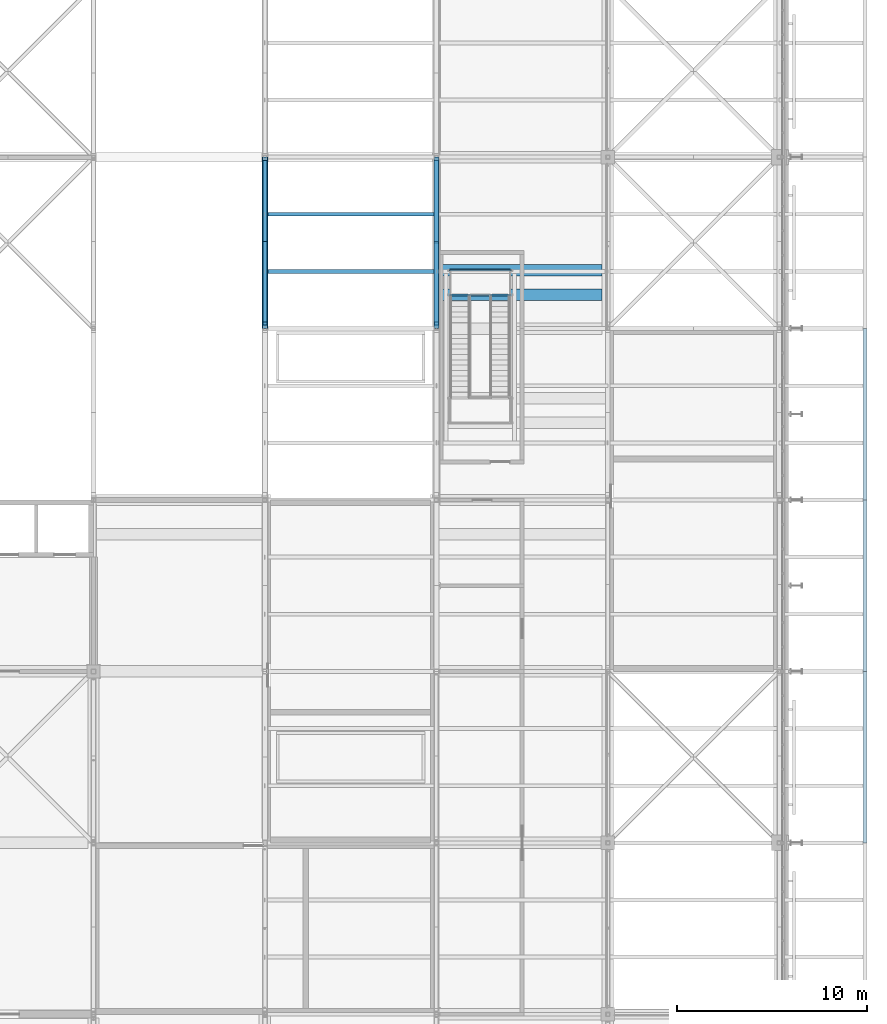
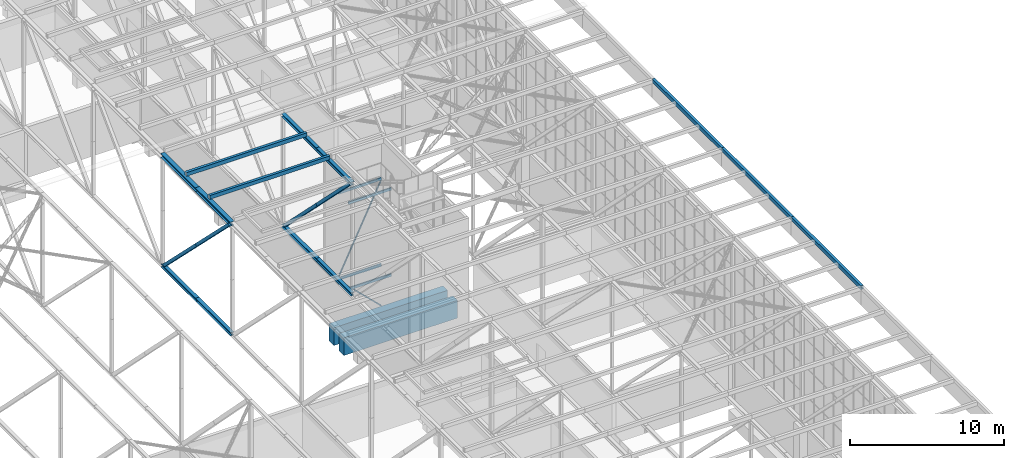
# One storey, part 97 of 646: 19 members, 6 beams.
"""IFC4 building model written with IfcOpenShell, lengths in metres."""

from ifc_helpers import new_model, si_unit, direction, frame, origin, origin_2d, place, context, subcontext, project, spatial, rectangle, hollow_rectangle, i_section, extrude, material, material_profile, profile_set, type_object, element, save


model = new_model("IFC4")

# Units and contexts
model_context = context("Model", 3, precision=1e-05, world=origin(), true_north=direction((0.0, 1.0)))
body_context = subcontext(model_context, "Body", "Model", "MODEL_VIEW")
ifc_project = project(units=[si_unit("LENGTHUNIT", "METRE"), si_unit("AREAUNIT", "SQUARE_METRE"), si_unit("VOLUMEUNIT", "CUBIC_METRE"), si_unit("PLANEANGLEUNIT", "RADIAN"), si_unit("MASSUNIT", "GRAM", prefix="KILO")], contexts=[model_context])

# Site, building, storey
site_placement = place(None, origin())
site = spatial("IfcSite", under=ifc_project, at=site_placement, CompositionType="ELEMENT")
building_placement = place(site_placement, origin())
building = spatial("IfcBuilding", under=site, at=building_placement, Name="Silverbay Arena", CompositionType="ELEMENT")
storey_placement = place(building_placement, frame((0.0, 0.0, 33.5)))
storey = spatial("IfcBuildingStorey", under=building, at=storey_placement, Name="L05", CompositionType="ELEMENT", Elevation=33.5)

# Members
ifc_material_1 = material(Name="Steel S355", Category="steel")
ifc_material_profile_1 = material_profile(ifc_material_1, i_section(OverallWidth=0.2587890625, OverallDepth=0.2666015625, WebThickness=0.0126953125, FlangeThickness=0.0205078125, at=origin_2d()), Name="UC 254x254x107")
ifc_profile_set_1 = profile_set([ifc_material_profile_1], Name="Steel S355")
member_type_1 = type_object("IfcMemberType", Name="Long-span bottom chord UC 254x254x107", PredefinedType="CHORD", material=ifc_profile_set_1)
for number, where, z_axis, x_axis, name in (
    (1, (180.0, 72.0, 4.13330078125), (0.0, 1.0, 0.0), (-1.0, 0.0, 0.0), "ROOF TRUSS 21 bottom chord 08a"),
    (2, (180.0, 76.5, 4.13330078125), (0.0, 1.0, 0.0), (-1.0, 0.0, 0.0), "ROOF TRUSS 21 bottom chord 08b"),
):
    element("IfcMember", number, at=place(storey_placement, frame(where, z_axis=z_axis, x_axis=x_axis)), inside=storey, type_object=member_type_1, Name=name, PredefinedType="CHORD", context=body_context, shape_type="SweptSolid", body=[
        extrude(i_section(OverallWidth=0.2587890625, OverallDepth=0.2666015625, WebThickness=0.0126953125, FlangeThickness=0.0205078125, at=origin_2d()), origin(), (0.0, 0.0, 1.0), 4.5),
    ])
ifc_material_2 = material(Name="Steel S355", Category="steel")
ifc_material_profile_2 = material_profile(ifc_material_2, i_section(OverallWidth=0.311279296875, OverallDepth=0.3271484375, WebThickness=0.015869140625, FlangeThickness=0.02490234375, at=origin_2d()), Name="UC 305x305x158")
ifc_profile_set_2 = profile_set([ifc_material_profile_2], Name="Steel S355")
member_type_2 = type_object("IfcMemberType", Name="Long-span top chord UC 305x305x158", PredefinedType="CHORD", material=ifc_profile_set_2)
for number, where, z_axis, x_axis, name in (
    (3, (180.0, 72.0, 12.83642578125), (0.0, 1.0, 0.0), (-1.0, 0.0, 0.0), "ROOF TRUSS 21 top chord 08a"),
    (4, (180.0, 76.5, 12.83642578125), (0.0, 1.0, 0.0), (-1.0, 0.0, 0.0), "ROOF TRUSS 21 top chord 08b"),
):
    element("IfcMember", number, at=place(storey_placement, frame(where, z_axis=z_axis, x_axis=x_axis)), inside=storey, type_object=member_type_2, Name=name, PredefinedType="CHORD", context=body_context, shape_type="SweptSolid", body=[
        extrude(i_section(OverallWidth=0.311279296875, OverallDepth=0.3271484375, WebThickness=0.015869140625, FlangeThickness=0.02490234375, at=origin_2d()), origin(), (0.0, 0.0, 1.0), 4.5),
    ])
ifc_material_3 = material(Name="Steel S355", Category="steel")
ifc_material_profile_3 = material_profile(ifc_material_3, hollow_rectangle(XDim=0.219970703125, YDim=0.219970703125, WallThickness=0.008056640625, at=origin_2d()), Name="SHS 220x220x8")
ifc_profile_set_3 = profile_set([ifc_material_profile_3], Name="Steel S355")
member_type_3 = type_object("IfcMemberType", Name="Long-span truss diagonal SHS 220x220x8", PredefinedType="BRACE", material=ifc_profile_set_3)
for number, where, z_axis, x_axis, name in (
    (5, (180.0, 72.26123046875, 12.6728515625), (0.0, 0.710086095222, -0.704114860923), (-1.0, 0.0, 0.0), "ROOF TRUSS 21 diagonal 08a"),
    (6, (180.0, 76.5, 8.4697265625), (0.0, 0.710086095222, -0.704114860923), (-1.0, 0.0, 0.0), "ROOF TRUSS 21 diagonal 08b"),
):
    element("IfcMember", number, at=place(storey_placement, frame(where, z_axis=z_axis, x_axis=x_axis)), inside=storey, type_object=member_type_3, Name=name, PredefinedType="BRACE", context=body_context, shape_type="SweptSolid", body=[
        extrude(hollow_rectangle(XDim=0.219970703125, YDim=0.219970703125, WallThickness=0.008056640625, at=origin_2d()), origin(), (0.0, 0.0, 1.0), 5.969482421875),
    ])
ifc_material_4 = material(Name="Steel S355", Category="steel")
ifc_material_profile_4 = material_profile(ifc_material_4, i_section(OverallWidth=0.254638671875, OverallDepth=0.254150390625, WebThickness=0.008544921875, FlangeThickness=0.01416015625, at=origin_2d()), Name="UC 254x254x73")
ifc_profile_set_4 = profile_set([ifc_material_profile_4], Name="Steel S355")
member_type_4 = type_object("IfcMemberType", Name="Medium-span bottom chord UC 254x254x73", PredefinedType="CHORD", material=ifc_profile_set_4)
for number, where, z_axis, x_axis, name in (
    (7, (189.0, 72.0, 4.126953125), (0.0, 1.0, 0.0), (-1.0, 0.0, 0.0), "ROOF TRUSS 22 bottom chord 08a"),
    (8, (189.0, 76.5, 4.126953125), (0.0, 1.0, 0.0), (-1.0, 0.0, 0.0), "ROOF TRUSS 22 bottom chord 08b"),
):
    element("IfcMember", number, at=place(storey_placement, frame(where, z_axis=z_axis, x_axis=x_axis)), inside=storey, type_object=member_type_4, Name=name, PredefinedType="CHORD", context=body_context, shape_type="SweptSolid", body=[
        extrude(i_section(OverallWidth=0.254638671875, OverallDepth=0.254150390625, WebThickness=0.008544921875, FlangeThickness=0.01416015625, at=origin_2d()), origin(), (0.0, 0.0, 1.0), 4.5),
    ])
ifc_material_5 = material(Name="Steel S355", Category="steel")
ifc_material_profile_5 = material_profile(ifc_material_5, i_section(OverallWidth=0.2587890625, OverallDepth=0.2666015625, WebThickness=0.0126953125, FlangeThickness=0.0205078125, at=origin_2d()), Name="UC 254x254x107")
ifc_profile_set_5 = profile_set([ifc_material_profile_5], Name="Steel S355")
member_type_5 = type_object("IfcMemberType", Name="Medium-span top chord UC 254x254x107", PredefinedType="CHORD", material=ifc_profile_set_5)
for number, where, z_axis, x_axis, name in (
    (9, (189.0, 72.0, 12.86669921875), (0.0, 1.0, 0.0), (-1.0, 0.0, 0.0), "ROOF TRUSS 22 top chord 08a"),
    (10, (189.0, 76.5, 12.86669921875), (0.0, 1.0, 0.0), (-1.0, 0.0, 0.0), "ROOF TRUSS 22 top chord 08b"),
):
    element("IfcMember", number, at=place(storey_placement, frame(where, z_axis=z_axis, x_axis=x_axis)), inside=storey, type_object=member_type_5, Name=name, PredefinedType="CHORD", context=body_context, shape_type="SweptSolid", body=[
        extrude(i_section(OverallWidth=0.2587890625, OverallDepth=0.2666015625, WebThickness=0.0126953125, FlangeThickness=0.0205078125, at=origin_2d()), origin(), (0.0, 0.0, 1.0), 4.5),
    ])
ifc_material_6 = material(Name="Steel S355", Category="steel")
ifc_material_profile_6 = material_profile(ifc_material_6, hollow_rectangle(XDim=0.219970703125, YDim=0.219970703125, WallThickness=0.008056640625, at=origin_2d()), Name="SHS 220x220x8")
ifc_profile_set_6 = profile_set([ifc_material_profile_6], Name="Steel S355")
member_type_6 = type_object("IfcMemberType", Name="Medium-span truss diagonal SHS 220x220x8", PredefinedType="BRACE", material=ifc_profile_set_6)
member_1_placement = place(storey_placement, frame((189.0, 72.260498046875, 12.7333984375), z_axis=(0.0, 0.707086421365, -0.707127140422), x_axis=(-1.0, 0.0, 0.0)))
element("IfcMember", 11, at=member_1_placement, inside=storey, type_object=member_type_6, Name="ROOF TRUSS 22 diagonal 08a", PredefinedType="BRACE", context=body_context, shape_type="SweptSolid", body=[
    extrude(hollow_rectangle(XDim=0.219970703125, YDim=0.219970703125, WallThickness=0.008056640625, at=origin_2d()), origin(), (0.0, 0.0, 1.0), 5.995849609375),
])
member_2_placement = place(storey_placement, frame((189.0, 76.5, 8.49365234375), z_axis=(0.0, 0.707106781187, -0.707106781187), x_axis=(-1.0, 0.0, 0.0)))
element("IfcMember", 12, at=member_2_placement, inside=storey, type_object=member_type_6, Name="ROOF TRUSS 22 diagonal 08b", PredefinedType="BRACE", context=body_context, shape_type="SweptSolid", body=[
    extrude(hollow_rectangle(XDim=0.219970703125, YDim=0.219970703125, WallThickness=0.008056640625, at=origin_2d()), origin(), (0.0, 0.0, 1.0), 5.99560546875),
])
ifc_material_7 = material(Name="Steel S355", Category="steel")
ifc_material_profile_7 = material_profile(ifc_material_7, hollow_rectangle(XDim=0.199951171875, YDim=0.300048828125, WallThickness=0.00634765625, at=origin_2d()), Name="RHS 300x200x6.3")
ifc_profile_set_7 = profile_set([ifc_material_profile_7], Name="Steel S355")
member_type_7 = type_object("IfcMemberType", Name="Purlin RHS 300x200x6.3", PredefinedType="PURLIN", material=ifc_profile_set_7)
for number, where, z_axis, x_axis, name in (
    (13, (180.0, 75.0, 13.14990234375), (1.0, 0.0, 0.0), (0.0, 1.0, 0.0), "ROOF PURLIN 21-22 line 23"),
    (14, (180.0, 78.0, 13.14990234375), (1.0, 0.0, 0.0), (0.0, 1.0, 0.0), "ROOF PURLIN 21-22 line 24"),
):
    element("IfcMember", number, at=place(storey_placement, frame(where, z_axis=z_axis, x_axis=x_axis)), inside=storey, type_object=member_type_7, Name=name, PredefinedType="PURLIN", context=body_context, shape_type="SweptSolid", body=[
        extrude(hollow_rectangle(XDim=0.199951171875, YDim=0.300048828125, WallThickness=0.00634765625, at=origin_2d()), origin(), (0.0, 0.0, 1.0), 9.0),
    ])
ifc_material_8 = material(Name="Steel S355", Category="steel")
ifc_material_profile_8 = material_profile(ifc_material_8, hollow_rectangle(XDim=0.199951171875, YDim=0.300048828125, WallThickness=0.008056640625, at=origin_2d()), Name="RHS 300x200x8")
ifc_profile_set_8 = profile_set([ifc_material_profile_8], Name="Steel S355")
member_type_8 = type_object("IfcMemberType", Name="Purlin RHS 300x200x8", PredefinedType="PURLIN", material=ifc_profile_set_8)
for number, where, z_axis, x_axis, name in (
    (15, (211.5, 45.0, 13.14990234375), (0.0, 1.0, 0.0), (-1.0, 0.0, 0.0), "ROOF PURLIN east eave edge 05"),
    (16, (211.5, 54.0, 13.14990234375), (0.0, 1.0, 0.0), (-1.0, 0.0, 0.0), "ROOF PURLIN east eave edge 06"),
    (17, (211.5, 63.0, 13.14990234375), (0.0, 1.0, 0.0), (-1.0, 0.0, 0.0), "ROOF PURLIN east eave edge 07"),
):
    element("IfcMember", number, at=place(storey_placement, frame(where, z_axis=z_axis, x_axis=x_axis)), inside=storey, type_object=member_type_8, Name=name, PredefinedType="PURLIN", context=body_context, shape_type="SweptSolid", body=[
        extrude(hollow_rectangle(XDim=0.199951171875, YDim=0.300048828125, WallThickness=0.008056640625, at=origin_2d()), origin(), (0.0, 0.0, 1.0), 9.0),
    ])

# Beams
ifc_material_9 = material(Name="Concrete Grade C45", Category="concrete")
ifc_material_profile_9 = material_profile(ifc_material_9, rectangle(XDim=0.60009765625, YDim=1.39990234375, at=origin_2d()), Name="RC 600x1400")
ifc_profile_set_9 = profile_set([ifc_material_profile_9], Name="Concrete Grade C45")
beam_type_1 = type_object("IfcBeamType", Name="RC transfer beam 600x1400", PredefinedType="BEAM", material=ifc_profile_set_9)
for number, where, z_axis, x_axis, name in (
    (18, (197.699951171875, 73.77001953125, -1.0), (-1.0, 0.0, 0.0), (0.0, -1.0, 0.0), "Stair RA2 L05 to ROOF post transfer beam 3"),
    (19, (197.699951171875, 75.070068359375, -1.0), (-1.0, 0.0, 0.0), (0.0, -1.0, 0.0), "Stair RA2 L05 to ROOF post transfer beam 4"),
):
    element("IfcBeam", number, at=place(storey_placement, frame(where, z_axis=z_axis, x_axis=x_axis)), inside=storey, type_object=beam_type_1, Name=name, PredefinedType="BEAM", context=body_context, shape_type="SweptSolid", body=[
        extrude(rectangle(XDim=0.60009765625, YDim=1.39990234375, at=origin_2d()), origin(), (0.0, 0.0, 1.0), 8.5),
    ])
ifc_material_10 = material(Name="Steel S355", Category="steel")
ifc_material_profile_10 = material_profile(ifc_material_10, hollow_rectangle(XDim=0.10009765625, YDim=0.199951171875, WallThickness=0.008056640625, at=origin_2d()), Name="RHS 200x100x8")
ifc_profile_set_10 = profile_set([ifc_material_profile_10], Name="Steel S355")
beam_type_2 = type_object("IfcBeamType", Name="Roof access landing beam RHS 200x100x8", PredefinedType="BEAM", material=ifc_profile_set_10)
for number, where, z_axis, x_axis, name in (
    (20, (192.89990234375, 73.77001953125, 3.219970703125), (-1.0, 0.0, 0.0), (0.0, -1.0, 0.0), "Stair RA2 L05 to ROOF landing 1 beam a"),
    (21, (192.89990234375, 75.070068359375, 3.219970703125), (-1.0, 0.0, 0.0), (0.0, -1.0, 0.0), "Stair RA2 L05 to ROOF landing 1 beam b"),
    (22, (192.89990234375, 73.77001953125, 10.02001953125), (-1.0, 0.0, 0.0), (0.0, -1.0, 0.0), "Stair RA2 L05 to ROOF landing 3 beam a"),
    (23, (192.89990234375, 75.070068359375, 10.02001953125), (-1.0, 0.0, 0.0), (0.0, -1.0, 0.0), "Stair RA2 L05 to ROOF landing 3 beam b"),
):
    element("IfcBeam", number, at=place(storey_placement, frame(where, z_axis=z_axis, x_axis=x_axis)), inside=storey, type_object=beam_type_2, Name=name, PredefinedType="BEAM", context=body_context, shape_type="SweptSolid", body=[
        extrude(hollow_rectangle(XDim=0.10009765625, YDim=0.199951171875, WallThickness=0.008056640625, at=origin_2d()), origin(), (0.0, 0.0, 1.0), 3.199951171875),
    ])

# Members
ifc_material_11 = material(Name="Steel S355", Category="steel")
ifc_material_profile_11 = material_profile(ifc_material_11, hollow_rectangle(XDim=0.080078125, YDim=0.080078125, WallThickness=0.0048828125, at=origin_2d()), Name="SHS 80x80x5")
ifc_profile_set_11 = profile_set([ifc_material_profile_11], Name="Steel S355")
member_type_9 = type_object("IfcMemberType", Name="Roof access stair bracing SHS 80x80x5", PredefinedType="BRACE", material=ifc_profile_set_11)
member_3_placement = place(storey_placement, frame((192.89990234375, 75.070068359375, 0.0), z_axis=(-0.715981709035, 0.0, 0.698119038794), x_axis=(0.0, -1.0, 0.0)))
element("IfcMember", 24, at=member_3_placement, inside=storey, type_object=member_type_9, Name="Stair RA2 L05 to ROOF bracing north face 1", PredefinedType="BRACE", context=body_context, shape_type="SweptSolid", body=[
    extrude(hollow_rectangle(XDim=0.080078125, YDim=0.080078125, WallThickness=0.0048828125, at=origin_2d()), origin(), (0.0, 0.0, 1.0), 4.46923828125),
])
member_4_placement = place(storey_placement, frame((189.699951171875, 75.070068359375, 3.320068359375), z_axis=(0.436275956545, 0.0, 0.899812919301), x_axis=(0.0, 1.0, 0.0)))
element("IfcMember", 25, at=member_4_placement, inside=storey, type_object=member_type_9, Name="Stair RA2 L05 to ROOF bracing north face 2", PredefinedType="BRACE", context=body_context, shape_type="SweptSolid", body=[
    extrude(hollow_rectangle(XDim=0.080078125, YDim=0.080078125, WallThickness=0.0048828125, at=origin_2d()), origin(), (0.0, 0.0, 1.0), 7.334716796875),
])

save(model, "model.ifc")
